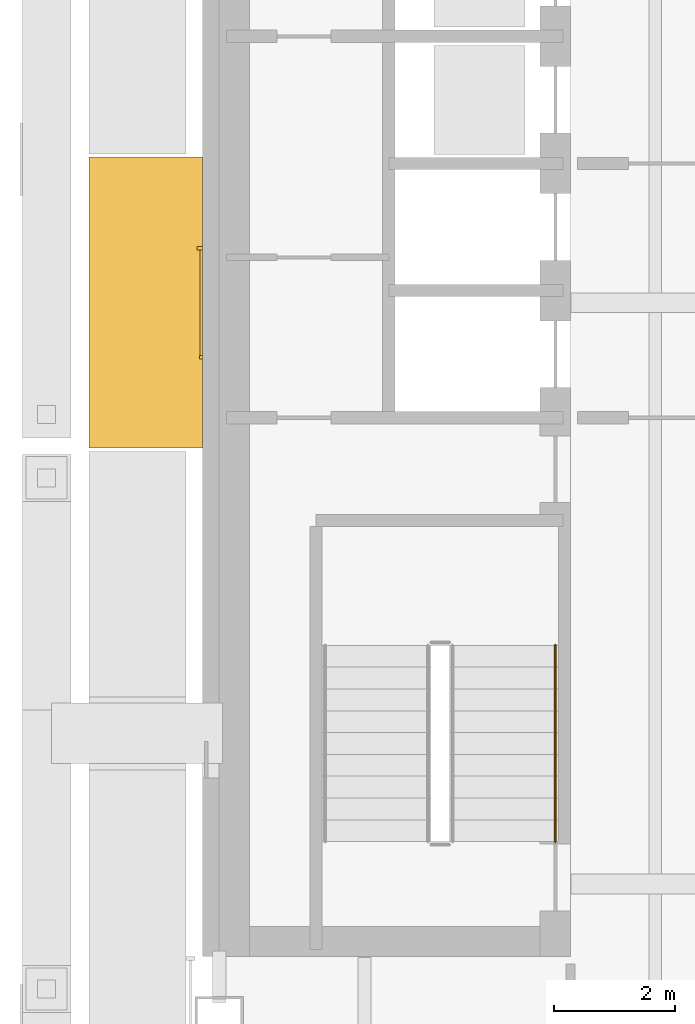
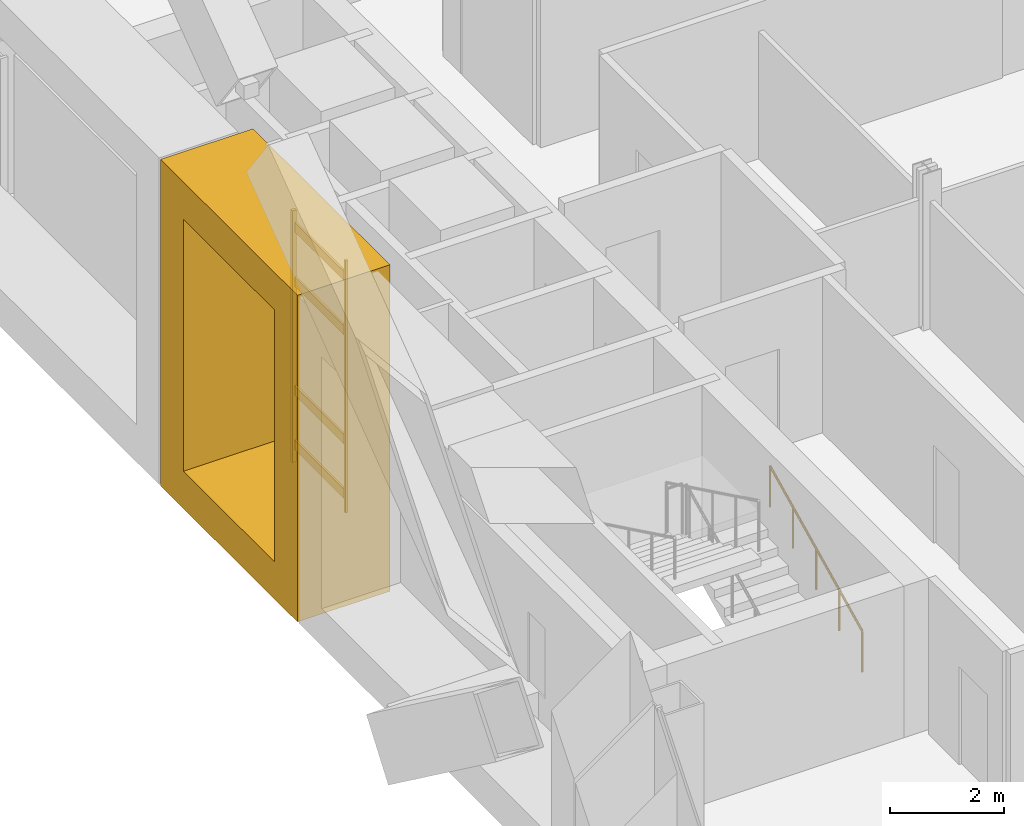
# One storey, part 18 of 22: 7 coverings, 1 railing.
"""IFC4 building model written with IfcOpenShell, lengths in metres."""

from ifc_helpers import new_model, si_unit, direction, frame, origin, origin_2d, place, context, subcontext, project, spatial, polyline, rectangle, circle, outline, extrude, material, type_object, element, save


model = new_model("IFC4")

# Units and contexts
model_context = context("Model", 3, precision=1e-05, world=origin(), true_north=direction((0.0, 1.0)))
body_context = subcontext(model_context, "Body", "Model", "MODEL_VIEW")
ifc_project = project(units=[si_unit("LENGTHUNIT", "METRE"), si_unit("AREAUNIT", "SQUARE_METRE"), si_unit("VOLUMEUNIT", "CUBIC_METRE"), si_unit("PLANEANGLEUNIT", "RADIAN"), si_unit("MASSUNIT", "GRAM", prefix="KILO")], contexts=[model_context])

# Site, building, storey
site_placement = place(None, origin())
site = spatial("IfcSite", under=ifc_project, at=site_placement, CompositionType="ELEMENT")
building_placement = place(site_placement, origin())
building = spatial("IfcBuilding", under=site, at=building_placement, Name="Cobrizo Arcos Hotel Tower", CompositionType="ELEMENT")
storey_placement = place(building_placement, frame((0.0, 0.0, 169.0)))
storey = spatial("IfcBuildingStorey", under=building, at=storey_placement, Name="L43", CompositionType="ELEMENT", Elevation=169.0)

# Coverings
ifc_material_1 = material(Name="Aluminium 6063-T6 anodised bronze", Category="aluminium")
covering_type_1 = type_object("IfcCoveringType", Name="FIN-F 1875", PredefinedType="CLADDING", material=ifc_material_1)
covering_1_placement = place(storey_placement, frame((-21.875, 2.403564453125, 0.0), z_axis=(-1.0, 0.0, 0.0), x_axis=(0.0, -1.0, 0.0)))
element("IfcCovering", 1, at=covering_1_placement, inside=storey, type_object=covering_type_1, Name="Fin frame 278", PredefinedType="CLADDING", context=body_context, shape_type="SweptSolid", body=[
    extrude(outline(polyline([(0.0, 7.0), (0.0, 0.0), (4.80712890625, 0.0), (4.80712890625, 7.0), (0.0, 7.0)]), holes=[polyline([(4.007080078125, 0.800048828125), (0.800048828125, 0.800048828125), (0.800048828125, 6.199951171875), (4.007080078125, 6.199951171875), (4.007080078125, 0.800048828125)])]), origin(), (0.0, 0.0, 1.0), 1.875),
])
ifc_material_2 = material(Name="Aluminium 6063-T6 anodised pale", Category="aluminium")
covering_type_2 = type_object("IfcCoveringType", Name="RS-1 rainscreen rib 60x90", PredefinedType="CLADDING", material=ifc_material_2)
covering_2_placement = place(storey_placement, frame((-21.919921875, 0.89990234375, 0.800048828125), z_axis=(0.0, 0.0, 1.0), x_axis=(0.0, -1.0, 0.0)))
element("IfcCovering", 2, at=covering_2_placement, inside=storey, type_object=covering_type_2, Name="Rainscreen rib 187", PredefinedType="CLADDING", context=body_context, shape_type="SweptSolid", body=[
    extrude(rectangle(XDim=0.06005859375, YDim=0.090087890625, at=origin_2d()), origin(), (0.0, 0.0, 1.0), 5.39990234375),
])
covering_type_3 = type_object("IfcCoveringType", Name="RS-2 rainscreen rib 60x50", PredefinedType="CLADDING", material=ifc_material_2)
covering_3_placement = place(storey_placement, frame((-21.89990234375, -0.89990234375, 0.800048828125), z_axis=(0.0, 0.0, 1.0), x_axis=(0.0, -1.0, 0.0)))
element("IfcCovering", 3, at=covering_3_placement, inside=storey, type_object=covering_type_3, Name="Rainscreen rib 188", PredefinedType="CLADDING", context=body_context, shape_type="SweptSolid", body=[
    extrude(rectangle(XDim=0.06005859375, YDim=0.050048828125, at=origin_2d()), origin(), (0.0, 0.0, 1.0), 5.39990234375),
])
covering_type_4 = type_object("IfcCoveringType", Name="RS-3 rainscreen louvre slat 200x40", PredefinedType="CLADDING", material=ifc_material_2)
for number, where, z_axis, x_axis, name in (
    (4, (-21.89501953125, 0.0, 1.06689453125), (0.0, 0.0, 1.0), (0.0, -1.0, 0.0), "Rainscreen slat 43"),
    (5, (-21.89501953125, 0.0, 2.2333984375), (0.0, 0.0, 1.0), (0.0, -1.0, 0.0), "Rainscreen slat 44"),
    (6, (-21.89501953125, 0.0, 4.56689453125), (0.0, 0.0, 1.0), (0.0, -1.0, 0.0), "Rainscreen slat 45"),
    (7, (-21.89501953125, 0.0, 5.7333984375), (0.0, 0.0, 1.0), (0.0, -1.0, 0.0), "Rainscreen slat 46"),
):
    element("IfcCovering", number, at=place(storey_placement, frame(where, z_axis=z_axis, x_axis=x_axis)), inside=storey, type_object=covering_type_4, Name=name, PredefinedType="CLADDING", context=body_context, shape_type="SweptSolid", body=[
        extrude(rectangle(XDim=1.739990234375, YDim=0.0400390625, at=origin_2d()), origin(), (0.0, 0.0, 1.0), 0.199951171875),
    ])

# Railing
ifc_material_3 = material(Name="Stainless steel railing", Category="steel")
railing_type = type_object("IfcRailingType", Name="Stair handrail", PredefinedType="HANDRAIL", material=ifc_material_3)
railing_placement = place(storey_placement, frame((-16.050048828125, -8.89990234375, 0.175048828125)))
element("IfcRailing", 8, at=railing_placement, inside=storey, type_object=railing_type, Name="L43 ST-W stair handrail 1", PredefinedType="HANDRAIL", context=body_context, shape_type="SweptSolid", body=[
    extrude(circle(Radius=0.02392578125, at=origin_2d()), frame((0.0, 0.0, 0.8759765625), z_axis=(0.0, 0.899372665325, 0.437182809435), x_axis=(-1.0, 0.0, 0.0)), (0.0, 0.0, 1.0), 3.6025390625),
    extrude(circle(Radius=0.02099609375, at=origin_2d()), origin(), (0.0, 0.0, 1.0), 0.851806640625),
    extrude(circle(Radius=0.02099609375, at=origin_2d()), frame((0.0, 0.81005859375, 0.393798828125)), (0.0, 0.0, 1.0), 0.851806640625),
    extrude(circle(Radius=0.02099609375, at=origin_2d()), frame((0.0, 1.6201171875, 0.78759765625)), (0.0, 0.0, 1.0), 0.851806640625),
    extrude(circle(Radius=0.02099609375, at=origin_2d()), frame((0.0, 2.429931640625, 1.18115234375)), (0.0, 0.0, 1.0), 0.851806640625),
    extrude(circle(Radius=0.02099609375, at=origin_2d()), frame((0.0, 3.239990234375, 1.574951171875)), (0.0, 0.0, 1.0), 0.851806640625),
])

save(model, "model.ifc")
